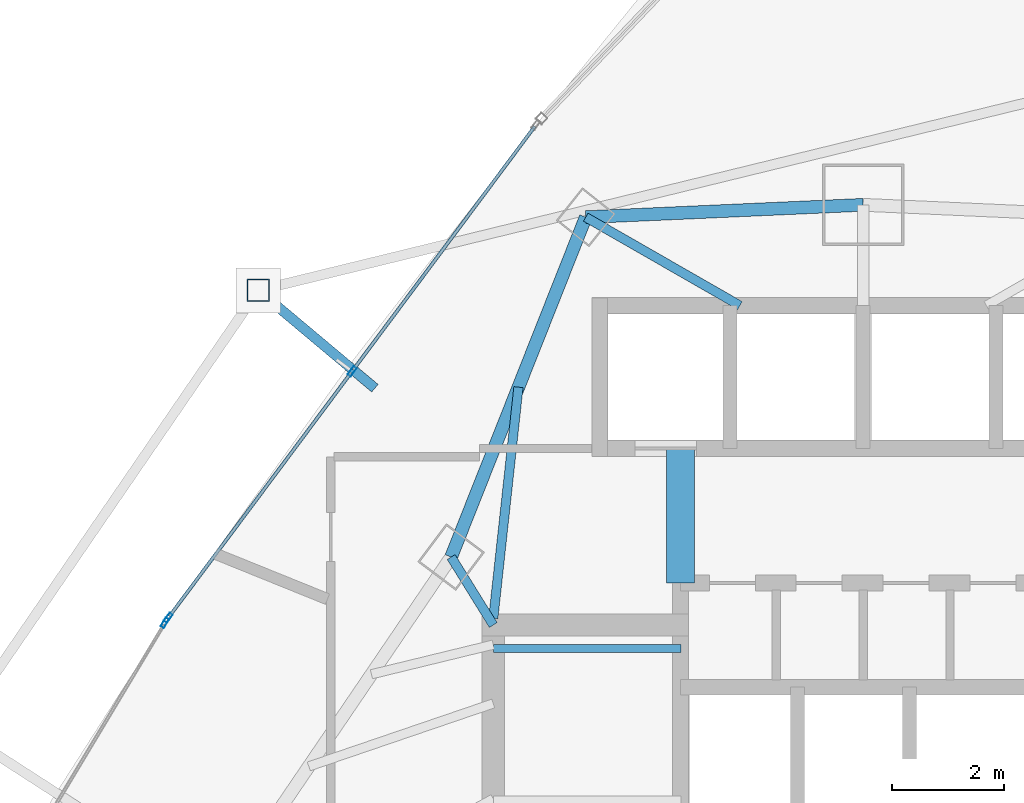
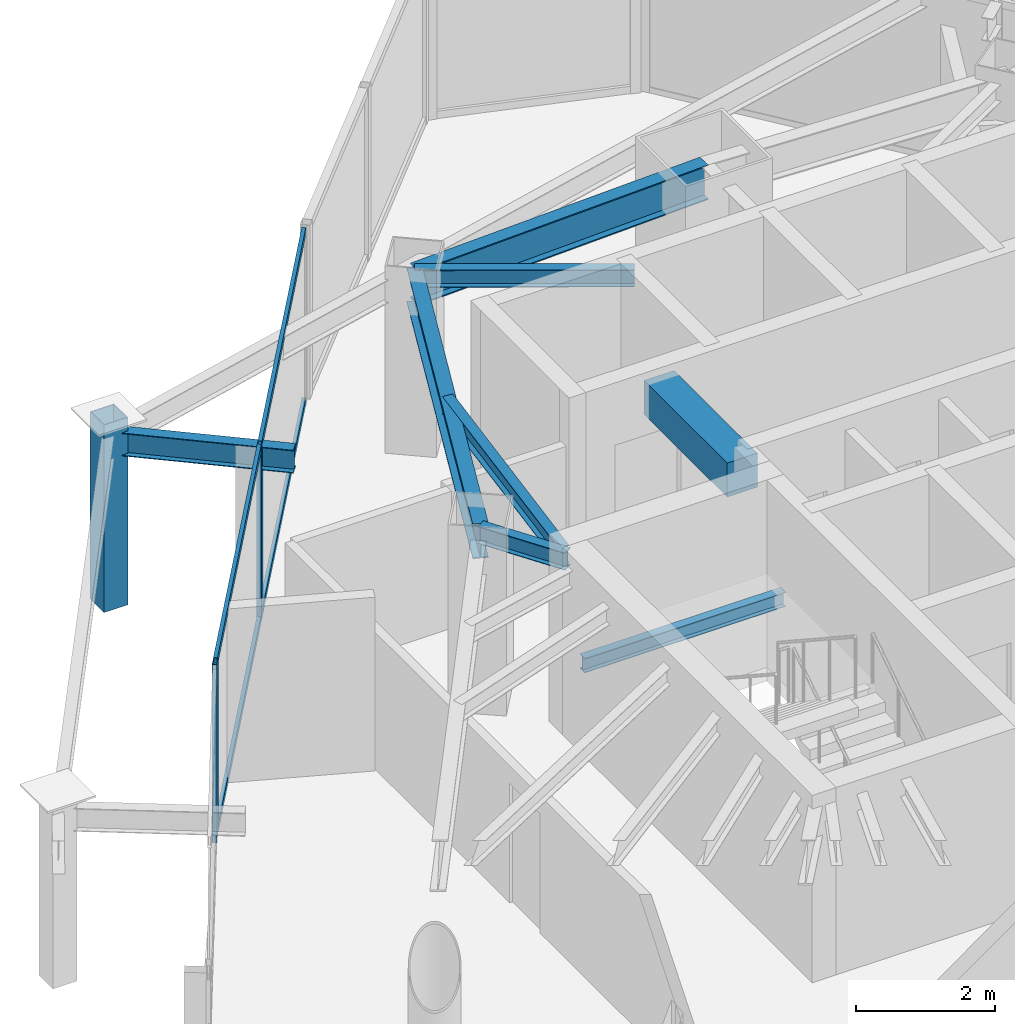
# One storey, part 20 of 31: 8 beams, 8 members, 2 elements without a shape of their own.
"""IFC4 building model written with IfcOpenShell, lengths in metres."""

from ifc_helpers import new_model, si_unit, direction, frame, origin, origin_2d, place, context, subcontext, project, spatial, rectangle, hollow_rectangle, i_section, extrude, material, layer, layer_set, material_profile, profile_set, type_object, element, aggregate, save


model = new_model("IFC4")

# Units and contexts
model_context = context("Model", 3, precision=1e-05, world=origin(), true_north=direction((0.0, 1.0)))
body_context = subcontext(model_context, "Body", "Model", "MODEL_VIEW")
ifc_project = project(units=[si_unit("LENGTHUNIT", "METRE"), si_unit("AREAUNIT", "SQUARE_METRE"), si_unit("VOLUMEUNIT", "CUBIC_METRE"), si_unit("PLANEANGLEUNIT", "RADIAN"), si_unit("MASSUNIT", "GRAM", prefix="KILO")], contexts=[model_context])

# Site, building, storey
site_placement = place(None, origin())
site = spatial("IfcSite", under=ifc_project, at=site_placement, CompositionType="ELEMENT")
building_placement = place(site_placement, origin())
building = spatial("IfcBuilding", under=site, at=building_placement, Name="Orvanel Arch Residences", CompositionType="ELEMENT")
storey_placement = place(building_placement, frame((0.0, 0.0, 157.25)))
storey = spatial("IfcBuildingStorey", under=building, at=storey_placement, Name="L44", CompositionType="ELEMENT", Elevation=157.25)

# Beams
ifc_material_1 = material(Name="Structural steel AS/NZS 3679.1 Grade 300 (300 MPa)", Category="steel")
ifc_material_profile_1 = material_profile(ifc_material_1, i_section(OverallWidth=0.14599609375, OverallDepth=0.251953125, WebThickness=0.006103515625, FlangeThickness=0.008544921875, at=origin_2d()), Name="250UB31.4")
ifc_profile_set_1 = profile_set([ifc_material_profile_1], Name="Structural steel AS/NZS 3679.1 Grade 300 (300 MPa)")
beam_type_1 = type_object("IfcBeamType", Name="BJ-250UB", PredefinedType="JOIST", material=ifc_profile_set_1)
beam_1_placement = place(storey_placement, frame((26.39990234375, 33.47998046875, 1.323974609375), z_axis=(1.0, 0.0, 0.0), x_axis=(0.0, 1.0, 0.0)))
element("IfcBeam", 1, at=beam_1_placement, inside=storey, type_object=beam_type_1, Name="L44 ST-1 Half-Landing Support Beam 1.2", PredefinedType="JOIST", context=body_context, shape_type="SweptSolid", body=[
    extrude(i_section(OverallWidth=0.14599609375, OverallDepth=0.251953125, WebThickness=0.006103515625, FlangeThickness=0.008544921875, at=origin_2d()), origin(), (0.0, 0.0, 1.0), 3.35009765625),
])
ifc_material_profile_2 = material_profile(ifc_material_1, i_section(OverallWidth=0.1650390625, OverallDepth=0.303955078125, WebThickness=0.006103515625, FlangeThickness=0.01025390625, at=origin_2d()), Name="310UB40.4")
ifc_profile_set_2 = profile_set([ifc_material_profile_2], Name="Structural steel AS/NZS 3679.1 Grade 300 (300 MPa)")
beam_type_2 = type_object("IfcBeamType", Name="BJ-310UB", PredefinedType="JOIST", material=ifc_profile_set_2)
beam_2_placement = place(storey_placement, frame((26.39990234375, 33.89990234375, 2.907958984375), z_axis=(-0.526843290616, 0.84996243866, 0.0), x_axis=(-0.84996243866, -0.526843290616, 0.0)))
element("IfcBeam", 2, at=beam_2_placement, inside=storey, type_object=beam_type_2, Name="L44 NNW Wing Floor Joist", PredefinedType="JOIST", context=body_context, shape_type="SweptSolid", body=[
    extrude(i_section(OverallWidth=0.1650390625, OverallDepth=0.303955078125, WebThickness=0.006103515625, FlangeThickness=0.01025390625, at=origin_2d()), origin(), (0.0, 0.0, 1.0), 1.42724609375),
])
beam_3_placement = place(storey_placement, frame((26.39990234375, 34.02001953125, 2.907958984375), z_axis=(0.108261441852, 0.99412245735, 0.0), x_axis=(-0.99412245735, 0.108261441852, 0.0)))
element("IfcBeam", 3, at=beam_3_placement, inside=storey, type_object=beam_type_2, Name="L44 NNW2 Wing Floor Joist", PredefinedType="JOIST", context=body_context, shape_type="SweptSolid", body=[
    extrude(i_section(OverallWidth=0.1650390625, OverallDepth=0.303955078125, WebThickness=0.006103515625, FlangeThickness=0.01025390625, at=origin_2d()), origin(), (0.0, 0.0, 1.0), 4.1494140625),
])
beam_4_placement = place(storey_placement, frame((30.800048828125, 39.60009765625, 2.907958984375), z_axis=(-0.86736513383, 0.497672306458, 0.0), x_axis=(-0.497672306458, -0.86736513383, 0.0)))
element("IfcBeam", 4, at=beam_4_placement, inside=storey, type_object=beam_type_2, Name="L44 MNW Wing Floor Joist", PredefinedType="JOIST", context=body_context, shape_type="SweptSolid", body=[
    extrude(i_section(OverallWidth=0.1650390625, OverallDepth=0.303955078125, WebThickness=0.006103515625, FlangeThickness=0.01025390625, at=origin_2d()), origin(), (0.0, 0.0, 1.0), 3.17041015625),
])
ifc_material_2 = material(Name="Concrete S65 (65 MPa)", Category="concrete")
ifc_material_profile_3 = material_profile(ifc_material_2, rectangle(XDim=0.5, YDim=0.60009765625, at=origin_2d()), Name="RC500x600")
ifc_profile_set_3 = profile_set([ifc_material_profile_3], Name="Concrete S65 (65 MPa)")
beam_type_3 = type_object("IfcBeamType", Name="CB-500x600", PredefinedType="LINTEL", material=ifc_profile_set_3)
beam_5_placement = place(storey_placement, frame((29.739990234375, 34.64990234375, 2.760009765625), z_axis=(0.0, 1.0, 0.0), x_axis=(-1.0, 0.0, 0.0)))
element("IfcBeam", 5, at=beam_5_placement, inside=storey, type_object=beam_type_3, Name="L44 West Core Lobby Coupling Lintel Beam", PredefinedType="LINTEL", context=body_context, shape_type="SweptSolid", body=[
    extrude(rectangle(XDim=0.5, YDim=0.60009765625, at=origin_2d()), origin(), (0.0, 0.0, 1.0), 2.400146484375),
])

# Curtain wall, members
ifc_material_3 = material(Name="Bronze-anodised aluminium AA6063-T6", Category="aluminium")
ifc_layer = layer(ifc_material_3, 0.179931640625)
ifc_layer_set = layer_set([ifc_layer], Name="Bronze-anodised aluminium AA6063-T6")
curtain_wall_type = type_object("IfcCurtainWallType", Name="CW3-MID-SYS", PredefinedType="NOTDEFINED", material=ifc_layer_set)
curtain_wall_1_placement = place(storey_placement, origin())
curtain_wall_1 = element("IfcCurtainWall", 6, at=curtain_wall_1_placement, inside=storey, type_object=curtain_wall_type, Name="L44 CW3-MID-SYS Unitised Curtain Wall", PredefinedType="NOTDEFINED")
ifc_material_profile_4 = material_profile(ifc_material_3, hollow_rectangle(XDim=0.070068359375, YDim=0.179931640625, WallThickness=0.00439453125, at=origin_2d()), Name="ALU180x70x4.5")
ifc_profile_set_4 = profile_set([ifc_material_profile_4], Name="Bronze-anodised aluminium AA6063-T6")
member_type_1 = type_object("IfcMemberType", Name="MUL-180x70", PredefinedType="MULLION", material=ifc_profile_set_4)
member_1_placement = place(storey_placement, frame((23.880615234375, 38.427001953125, 0.0), z_axis=(0.0, 0.0, 1.0), x_axis=(0.801562009751, -0.597911652775, 0.0)))
member_1 = element("IfcMember", 7, at=member_1_placement, type_object=member_type_1, Name="CW-S3 mullion 2", PredefinedType="MULLION", context=body_context, shape_type="SweptSolid", body=[
    extrude(hollow_rectangle(XDim=0.070068359375, YDim=0.179931640625, WallThickness=0.00439453125, at=origin_2d()), origin(), (0.0, 0.0, 1.0), 3.06005859375),
])
member_2_placement = place(storey_placement, frame((20.599853515625, 34.029052734375, 0.0), z_axis=(0.0, 0.0, 1.0), x_axis=(0.801562009751, -0.597911652775, 0.0)))
member_2 = element("IfcMember", 8, at=member_2_placement, type_object=member_type_1, Name="CW-S3 mullion 3", PredefinedType="MULLION", context=body_context, shape_type="SweptSolid", body=[
    extrude(hollow_rectangle(XDim=0.070068359375, YDim=0.179931640625, WallThickness=0.00439453125, at=origin_2d()), origin(), (0.0, 0.0, 1.0), 3.06005859375),
])

# Curtain wall, member
curtain_wall_2_placement = place(storey_placement, origin())
curtain_wall_2 = element("IfcCurtainWall", 9, at=curtain_wall_2_placement, inside=storey, type_object=curtain_wall_type, Name="L44 CW3-MID-SYS Unitised Curtain Wall", PredefinedType="NOTDEFINED")
member_3_placement = place(storey_placement, frame((20.5390625, 33.93798828125, 0.0), z_axis=(0.0, 0.0, 1.0), x_axis=(0.857541106242, -0.514415446021, 0.0)))
member_3 = element("IfcMember", 10, at=member_3_placement, type_object=member_type_1, Name="CW-S3 mullion 1", PredefinedType="MULLION", context=body_context, shape_type="SweptSolid", body=[
    extrude(hollow_rectangle(XDim=0.070068359375, YDim=0.179931640625, WallThickness=0.00439453125, at=origin_2d()), origin(), (0.0, 0.0, 1.0), 3.06005859375),
])
aggregate(curtain_wall_2, [member_3])

# Beams
ifc_material_profile_5 = material_profile(ifc_material_1, i_section(OverallWidth=0.177978515625, OverallDepth=0.406005859375, WebThickness=0.0078125, FlangeThickness=0.0126953125, at=origin_2d()), Name="410UB59.7")
ifc_profile_set_5 = profile_set([ifc_material_profile_5], Name="Structural steel AS/NZS 3679.1 Grade 300 (300 MPa)")
beam_type_4 = type_object("IfcBeamType", Name="OB-410UB-EXT", PredefinedType="SPANDREL", material=ifc_profile_set_5)
beam_6_placement = place(storey_placement, frame((24.287109375, 38.1259765625, 2.85693359375), z_axis=(-0.766214374842, 0.642585038563, 0.0), x_axis=(-0.642585038563, -0.766214374842, 0.0)))
element("IfcBeam", 11, at=beam_6_placement, inside=storey, type_object=beam_type_4, Name="L44 Outer Frame Radial Tie Beam 01", PredefinedType="SPANDREL", context=body_context, shape_type="SweptSolid", body=[
    extrude(i_section(OverallWidth=0.177978515625, OverallDepth=0.406005859375, WebThickness=0.0078125, FlangeThickness=0.0126953125, at=origin_2d()), origin(), (0.0, 0.0, 1.0), 2.71728515625),
])
ifc_material_profile_6 = material_profile(ifc_material_1, i_section(OverallWidth=0.22900390625, OverallDepth=0.612060546875, WebThickness=0.011962890625, FlangeThickness=0.01953125, at=origin_2d()), Name="610UB125")
ifc_profile_set_6 = profile_set([ifc_material_profile_6], Name="Structural steel AS/NZS 3679.1 Grade 300 (300 MPa)")
beam_type_5 = type_object("IfcBeamType", Name="SP-610UB", PredefinedType="SPANDREL", material=ifc_profile_set_6)
beam_7_placement = place(storey_placement, frame((33.0, 41.39794921875, 2.75390625), z_axis=(-0.999014049296, -0.044395149614, 0.0), x_axis=(0.044395149614, -0.999014049296, 0.0)))
element("IfcBeam", 12, at=beam_7_placement, inside=storey, type_object=beam_type_5, Name="L44 Perimeter Spandrel Beam 15", PredefinedType="SPANDREL", context=body_context, shape_type="SweptSolid", body=[
    extrude(i_section(OverallWidth=0.22900390625, OverallDepth=0.612060546875, WebThickness=0.011962890625, FlangeThickness=0.01953125, at=origin_2d()), origin(), (0.0, 0.0, 1.0), 4.954833984375),
])
beam_8_placement = place(storey_placement, frame((28.050048828125, 41.177978515625, 2.75390625), z_axis=(-0.368233143579, -0.929733484376, 0.0), x_axis=(0.929733484376, -0.368233143579, 0.0)))
element("IfcBeam", 13, at=beam_8_placement, inside=storey, type_object=beam_type_5, Name="L44 Perimeter Spandrel Beam 16", PredefinedType="SPANDREL", context=body_context, shape_type="SweptSolid", body=[
    extrude(i_section(OverallWidth=0.22900390625, OverallDepth=0.612060546875, WebThickness=0.011962890625, FlangeThickness=0.01953125, at=origin_2d()), origin(), (0.0, 0.0, 1.0), 6.523193359375),
])

# Member
ifc_material_4 = material(Name="Structural steel AS/NZS 1163 C450L0 (Grade 450)", Category="steel")
ifc_material_profile_7 = material_profile(ifc_material_4, hollow_rectangle(XDim=0.39990234375, YDim=0.39990234375, WallThickness=0.01611328125, at=origin_2d()), Name="SHS400x400x16")
ifc_profile_set_7 = profile_set([ifc_material_profile_7], Name="Structural steel AS/NZS 1163 C450L0 (Grade 450)")
member_type_2 = type_object("IfcMemberType", Name="ST-400SHS-EXT", PredefinedType="STRUT", material=ifc_profile_set_7)
member_4_placement = place(storey_placement, frame((22.205078125, 39.8720703125, 0.0), z_axis=(0.0, 0.0, 1.0), x_axis=(1.0, 0.0, 0.0)))
element("IfcMember", 14, at=member_4_placement, inside=storey, type_object=member_type_2, Name="L44 Outer Perimeter Frame Post 01", PredefinedType="STRUT", context=body_context, shape_type="SweptSolid", body=[
    extrude(hollow_rectangle(XDim=0.39990234375, YDim=0.39990234375, WallThickness=0.01611328125, at=origin_2d()), origin(), (0.0, 0.0, 1.0), 3.300048828125),
])

ifc_material_profile_8 = material_profile(ifc_material_3, hollow_rectangle(XDim=0.06005859375, YDim=0.135009765625, WallThickness=0.00390625, at=origin_2d()), Name="ALU135x60x4")
ifc_profile_set_8 = profile_set([ifc_material_profile_8], Name="Bronze-anodised aluminium AA6063-T6")
member_type_3 = type_object("IfcMemberType", Name="TRN-135x60", PredefinedType="USERDEFINED", material=ifc_profile_set_8)
member_5_placement = place(storey_placement, frame((27.14013671875, 42.796875, 0.030029296875), z_axis=(-0.597921074434, -0.801554981737, 0.0), x_axis=(0.801554981737, -0.597921074434, 0.0)))
member_5 = element("IfcMember", 15, at=member_5_placement, type_object=member_type_3, Name="CW-S3 transom 1.1", ObjectType="TRANSOM", PredefinedType="USERDEFINED", context=body_context, shape_type="SweptSolid", body=[
    extrude(hollow_rectangle(XDim=0.06005859375, YDim=0.135009765625, WallThickness=0.00390625, at=origin_2d()), origin(), (0.0, 0.0, 1.0), 5.416748046875),
])

member_6_placement = place(storey_placement, frame((27.14013671875, 42.796875, 3.030029296875), z_axis=(-0.597921074434, -0.801554981737, 0.0), x_axis=(0.801554981737, -0.597921074434, 0.0)))
member_6 = element("IfcMember", 16, at=member_6_placement, type_object=member_type_3, Name="CW-S3 transom 1.2", ObjectType="TRANSOM", PredefinedType="USERDEFINED", context=body_context, shape_type="SweptSolid", body=[
    extrude(hollow_rectangle(XDim=0.06005859375, YDim=0.135009765625, WallThickness=0.00390625, at=origin_2d()), origin(), (0.0, 0.0, 1.0), 5.416748046875),
])

member_7_placement = place(storey_placement, frame((23.859619140625, 38.39892578125, 0.030029296875), z_axis=(-0.597921074434, -0.801554981737, 0.0), x_axis=(0.801554981737, -0.597921074434, 0.0)))
member_7 = element("IfcMember", 17, at=member_7_placement, type_object=member_type_3, Name="CW-S3 transom 2.1", ObjectType="TRANSOM", PredefinedType="USERDEFINED", context=body_context, shape_type="SweptSolid", body=[
    extrude(hollow_rectangle(XDim=0.06005859375, YDim=0.135009765625, WallThickness=0.00390625, at=origin_2d()), origin(), (0.0, 0.0, 1.0), 5.416748046875),
])

member_8_placement = place(storey_placement, frame((23.859619140625, 38.39892578125, 3.030029296875), z_axis=(-0.597921074434, -0.801554981737, 0.0), x_axis=(0.801554981737, -0.597921074434, 0.0)))
member_8 = element("IfcMember", 18, at=member_8_placement, type_object=member_type_3, Name="CW-S3 transom 2.2", ObjectType="TRANSOM", PredefinedType="USERDEFINED", context=body_context, shape_type="SweptSolid", body=[
    extrude(hollow_rectangle(XDim=0.06005859375, YDim=0.135009765625, WallThickness=0.00390625, at=origin_2d()), origin(), (0.0, 0.0, 1.0), 5.416748046875),
])

aggregate(curtain_wall_1, [member_1, member_2, member_5, member_6, member_7, member_8])

save(model, "model.ifc")
